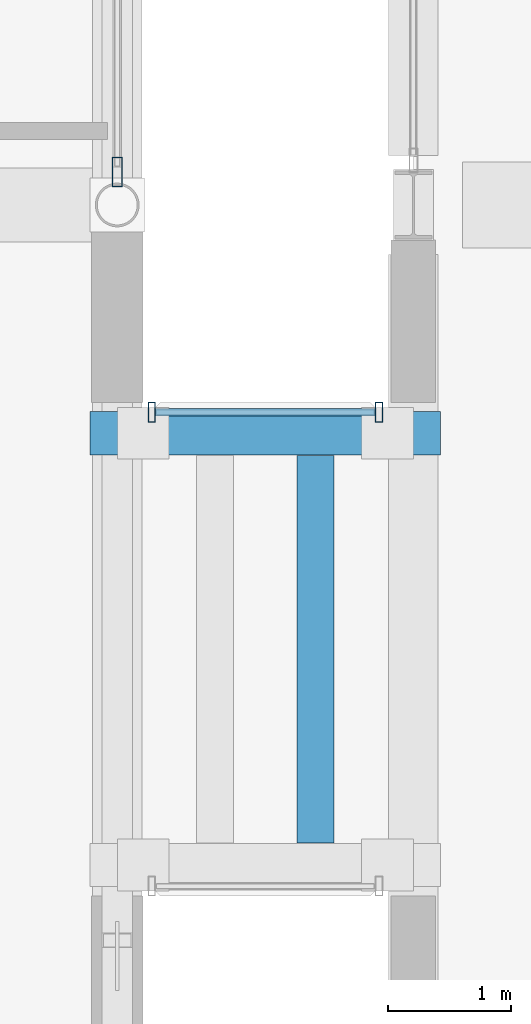
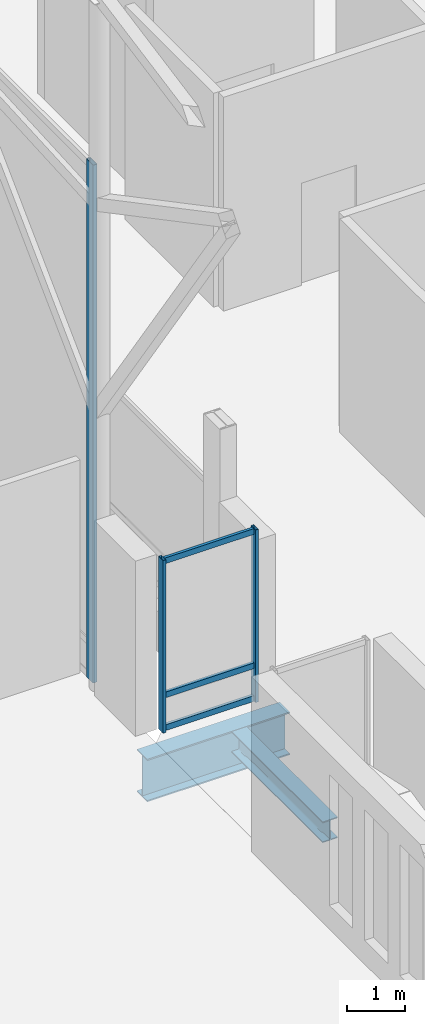
# One storey, part 75 of 220: 6 members, 2 beams, 2 elements without a shape of their own.
"""IFC4 building model written with IfcOpenShell, lengths in metres."""

from ifc_helpers import new_model, si_unit, direction, frame, origin, origin_2d, place, context, subcontext, project, spatial, hollow_rectangle, i_section, extrude, material, material_profile, profile_set, type_object, element, aggregate, save


model = new_model("IFC4")

# Units and contexts
model_context = context("Model", 3, precision=1e-05, world=origin(), true_north=direction((0.0, 1.0)))
body_context = subcontext(model_context, "Body", "Model", "MODEL_VIEW")
ifc_project = project(units=[si_unit("LENGTHUNIT", "METRE"), si_unit("AREAUNIT", "SQUARE_METRE"), si_unit("VOLUMEUNIT", "CUBIC_METRE"), si_unit("PLANEANGLEUNIT", "RADIAN"), si_unit("MASSUNIT", "GRAM", prefix="KILO")], contexts=[model_context])

# Site, building, storey
site_placement = place(None, origin())
site = spatial("IfcSite", under=ifc_project, at=site_placement, CompositionType="ELEMENT")
building_placement = place(site_placement, origin())
building = spatial("IfcBuilding", under=site, at=building_placement, Name="Cendralis Lancet Convention Centre", CompositionType="ELEMENT")
storey_placement = place(building_placement, frame((0.0, 0.0, 5.39990234375)))
storey = spatial("IfcBuildingStorey", under=building, at=storey_placement, Name="L01", CompositionType="ELEMENT", Elevation=5.39990234375)

# Curtain wall, members
ifc_material_1 = material(Name="Anodised bronze architectural aluminium", Category="aluminium")
curtain_wall_type_1 = type_object("IfcCurtainWallType", Name="ARC-CW-BR01", PredefinedType="USERDEFINED", material=ifc_material_1)
curtain_wall_1_placement = place(storey_placement, origin())
curtain_wall_1 = element("IfcCurtainWall", 1, at=curtain_wall_1_placement, inside=storey, type_object=curtain_wall_type_1, Name="L01 Curtain Wall CW-BR1 #194", ObjectType="CURTAIN WALL", PredefinedType="USERDEFINED")
ifc_material_profile_1 = material_profile(ifc_material_1, hollow_rectangle(XDim=0.06005859375, YDim=0.159912109375, WallThickness=0.00390625, at=origin_2d()), Name="AL-MULL 60x160x4.0")
ifc_profile_set_1 = profile_set([ifc_material_profile_1], Name="Anodised bronze architectural aluminium")
member_type_1 = type_object("IfcMemberType", Name="ARC-CW-ML01", PredefinedType="MULLION", material=ifc_profile_set_1)
member_1_placement = place(storey_placement, frame((122.679931640625, 106.320068359375, 0.0), z_axis=(0.0, 0.0, 1.0), x_axis=(1.0, 0.0, 0.0)))
member_1 = element("IfcMember", 2, at=member_1_placement, type_object=member_type_1, Name="Mullion CW2-CW-BR1-L01-194-M0", PredefinedType="MULLION", context=body_context, shape_type="SweptSolid", body=[
    extrude(hollow_rectangle(XDim=0.06005859375, YDim=0.159912109375, WallThickness=0.00390625, at=origin_2d()), origin(), (0.0, 0.0, 1.0), 3.635009765625),
])
member_2_placement = place(storey_placement, frame((124.52001953125, 106.320068359375, 0.0), z_axis=(0.0, 0.0, 1.0), x_axis=(1.0, 0.0, 0.0)))
member_2 = element("IfcMember", 3, at=member_2_placement, type_object=member_type_1, Name="Mullion CW2-CW-BR1-L01-194-M1", PredefinedType="MULLION", context=body_context, shape_type="SweptSolid", body=[
    extrude(hollow_rectangle(XDim=0.06005859375, YDim=0.159912109375, WallThickness=0.00390625, at=origin_2d()), origin(), (0.0, 0.0, 1.0), 3.635009765625),
])

# Curtain wall, member
curtain_wall_type_2 = type_object("IfcCurtainWallType", Name="ARC-CW-GB02", PredefinedType="USERDEFINED", material=ifc_material_1)
curtain_wall_2_placement = place(storey_placement, origin())
curtain_wall_2 = element("IfcCurtainWall", 4, at=curtain_wall_2_placement, inside=storey, type_object=curtain_wall_type_2, Name="L01 Curtain Wall CW-GB2 #108", ObjectType="CURTAIN WALL", PredefinedType="USERDEFINED")
ifc_material_profile_2 = material_profile(ifc_material_1, hollow_rectangle(XDim=0.080078125, YDim=0.239990234375, WallThickness=0.0048828125, at=origin_2d()), Name="AL-MULL 80x240x5.0")
ifc_profile_set_2 = profile_set([ifc_material_profile_2], Name="Anodised bronze architectural aluminium")
member_type_2 = type_object("IfcMemberType", Name="ARC-CW-ML03", PredefinedType="MULLION", material=ifc_profile_set_2)
member_3_placement = place(storey_placement, frame((122.39990234375, 108.267822265625, 0.0), z_axis=(0.0, 0.0, 1.0), x_axis=(1.0, 0.0, 0.0)))
member_3 = element("IfcMember", 5, at=member_3_placement, type_object=member_type_2, Name="Mullion CW2-CW-GB2-L01-108-M2", PredefinedType="MULLION", context=body_context, shape_type="SweptSolid", body=[
    extrude(hollow_rectangle(XDim=0.080078125, YDim=0.239990234375, WallThickness=0.0048828125, at=origin_2d()), origin(), (0.0, 0.0, 1.0), 10.901123046875),
])
aggregate(curtain_wall_2, [member_3])

# Member
ifc_material_profile_3 = material_profile(ifc_material_1, hollow_rectangle(XDim=0.06005859375, YDim=0.1201171875, WallThickness=0.00390625, at=origin_2d()), Name="AL-TRAN 60x120x4.0")
ifc_profile_set_3 = profile_set([ifc_material_profile_3], Name="Anodised bronze architectural aluminium")
member_type_3 = type_object("IfcMemberType", Name="ARC-CW-TR01", PredefinedType="USERDEFINED", material=ifc_profile_set_3)
member_4_placement = place(storey_placement, frame((122.7099609375, 106.320068359375, 0.06005859375), z_axis=(1.0, 0.0, 0.0), x_axis=(0.0, 1.0, 0.0)))
member_4 = element("IfcMember", 6, at=member_4_placement, type_object=member_type_3, Name="Transom CW2-CW-BR1-L01-194-T0BOT", ObjectType="TRANSOM", PredefinedType="USERDEFINED", context=body_context, shape_type="SweptSolid", body=[
    extrude(hollow_rectangle(XDim=0.06005859375, YDim=0.1201171875, WallThickness=0.00390625, at=origin_2d()), origin(), (0.0, 0.0, 1.0), 1.780029296875),
])

member_5_placement = place(storey_placement, frame((122.7099609375, 106.320068359375, 0.75), z_axis=(1.0, 0.0, 0.0), x_axis=(0.0, 1.0, 0.0)))
member_5 = element("IfcMember", 7, at=member_5_placement, type_object=member_type_3, Name="Transom CW2-CW-BR1-L01-194-T0MID", ObjectType="TRANSOM", PredefinedType="USERDEFINED", context=body_context, shape_type="SweptSolid", body=[
    extrude(hollow_rectangle(XDim=0.06005859375, YDim=0.1201171875, WallThickness=0.00390625, at=origin_2d()), origin(), (0.0, 0.0, 1.0), 1.780029296875),
])

member_6_placement = place(storey_placement, frame((122.7099609375, 106.320068359375, 3.5751953125), z_axis=(1.0, 0.0, 0.0), x_axis=(0.0, 1.0, 0.0)))
member_6 = element("IfcMember", 8, at=member_6_placement, type_object=member_type_3, Name="Transom CW2-CW-BR1-L01-194-T0TOP", ObjectType="TRANSOM", PredefinedType="USERDEFINED", context=body_context, shape_type="SweptSolid", body=[
    extrude(hollow_rectangle(XDim=0.06005859375, YDim=0.1201171875, WallThickness=0.00390625, at=origin_2d()), origin(), (0.0, 0.0, 1.0), 1.780029296875),
])

aggregate(curtain_wall_1, [member_1, member_2, member_4, member_5, member_6])

# Beams
ifc_material_2 = material(Name="Steel S355", Category="steel")
ifc_material_profile_4 = material_profile(ifc_material_2, i_section(OverallWidth=0.35009765625, OverallDepth=0.89990234375, WebThickness=0.01611328125, FlangeThickness=0.028076171875, at=origin_2d()), Name="PG 900x350")
ifc_profile_set_4 = profile_set([ifc_material_profile_4], Name="Steel S355")
beam_type_1 = type_object("IfcBeamType", Name="STR-BM-SG05", PredefinedType="BEAM", material=ifc_profile_set_4)
beam_1_placement = place(storey_placement, frame((122.179931640625, 106.14990234375, -0.669921875), z_axis=(1.0, 0.0, 0.0), x_axis=(0.0, 1.0, 0.0)))
element("IfcBeam", 9, at=beam_1_placement, inside=storey, type_object=beam_type_1, Name="L01 Beam SG05 #1877", PredefinedType="BEAM", context=body_context, shape_type="SweptSolid", body=[
    extrude(i_section(OverallWidth=0.35009765625, OverallDepth=0.89990234375, WebThickness=0.01611328125, FlangeThickness=0.028076171875, at=origin_2d()), origin(), (0.0, 0.0, 1.0), 2.840087890625),
])
ifc_material_profile_5 = material_profile(ifc_material_2, i_section(OverallWidth=0.300048828125, OverallDepth=0.43994140625, WebThickness=0.011474609375, FlangeThickness=0.02099609375, FilletRadius=0.027099609375, at=origin_2d()), Name="HEA 450")
ifc_profile_set_5 = profile_set([ifc_material_profile_5], Name="Steel S355")
beam_type_2 = type_object("IfcBeamType", Name="STR-BM-SG13", PredefinedType="BEAM", material=ifc_profile_set_5)
beam_2_placement = place(storey_placement, frame((124.008056640625, 102.830078125, -0.43994140625), z_axis=(0.0, 1.0, 0.0), x_axis=(-1.0, 0.0, 0.0)))
element("IfcBeam", 10, at=beam_2_placement, inside=storey, type_object=beam_type_2, Name="L01 Beam SG13 #1879", PredefinedType="BEAM", context=body_context, shape_type="SweptSolid", body=[
    extrude(i_section(OverallWidth=0.300048828125, OverallDepth=0.43994140625, WebThickness=0.011474609375, FlangeThickness=0.02099609375, FilletRadius=0.027099609375, at=origin_2d()), origin(), (0.0, 0.0, 1.0), 3.139892578125),
])

save(model, "model.ifc")
